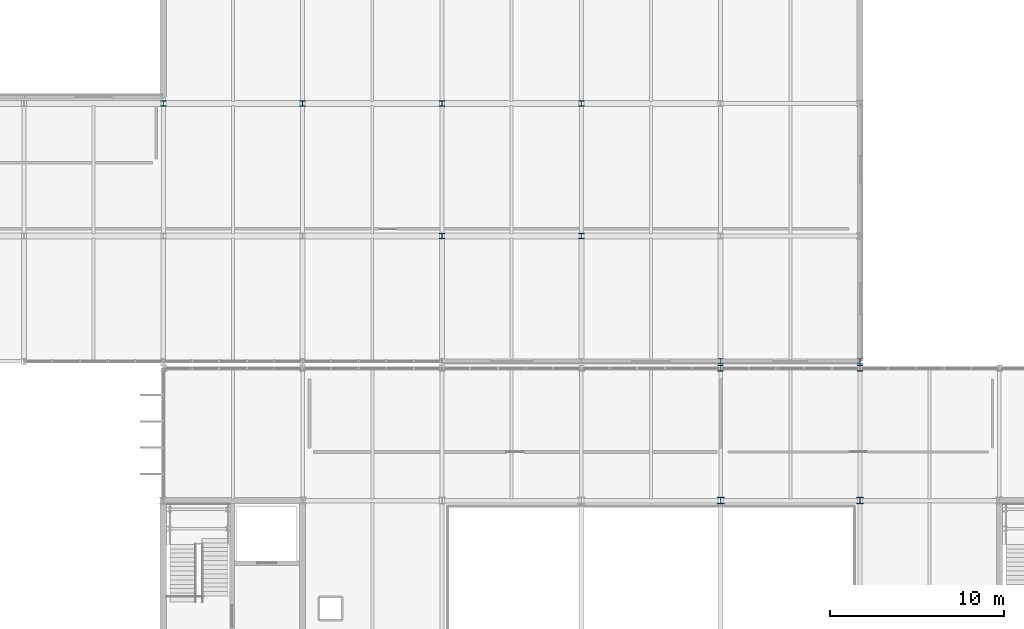
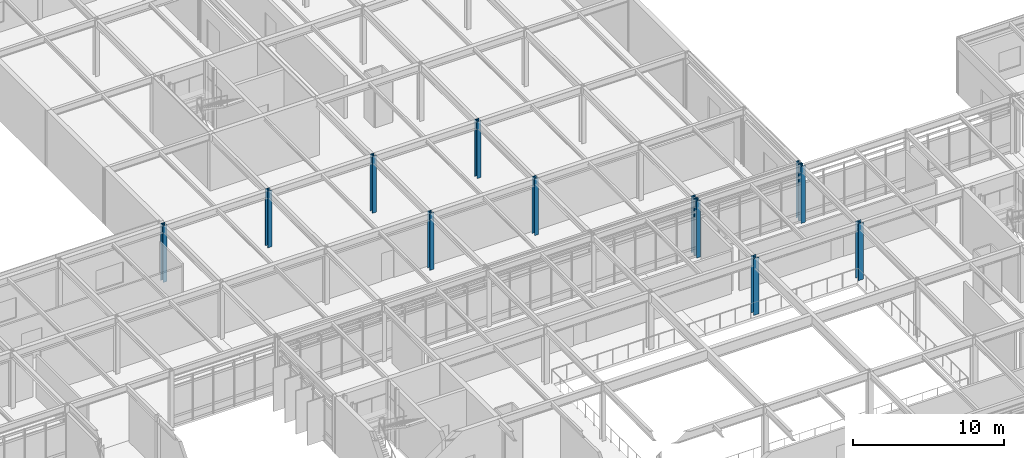
# One storey, part 11 of 104: 12 columns.
"""IFC4 building model written with IfcOpenShell, lengths in metres."""

from ifc_helpers import new_model, si_unit, direction, frame, origin, origin_2d, place, context, subcontext, project, spatial, i_section, extrude, material, material_profile, profile_set, type_object, element, save


model = new_model("IFC4")

# Units and contexts
model_context = context("Model", 3, precision=1e-05, world=origin(), true_north=direction((0.0, 1.0)))
body_context = subcontext(model_context, "Body", "Model", "MODEL_VIEW")
ifc_project = project(units=[si_unit("LENGTHUNIT", "METRE"), si_unit("AREAUNIT", "SQUARE_METRE"), si_unit("VOLUMEUNIT", "CUBIC_METRE"), si_unit("PLANEANGLEUNIT", "RADIAN"), si_unit("MASSUNIT", "GRAM", prefix="KILO")], contexts=[model_context])

# Site, building, storey
site_placement = place(None, origin())
site = spatial("IfcSite", under=ifc_project, at=site_placement, CompositionType="ELEMENT")
building_placement = place(site_placement, origin())
building = spatial("IfcBuilding", under=site, at=building_placement, Name="Zulena Civic Courthouse", CompositionType="ELEMENT")
storey_placement = place(building_placement, frame((0.0, 0.0, 15.60009765625)))
storey = spatial("IfcBuildingStorey", under=building, at=storey_placement, Name="L03", CompositionType="ELEMENT", Elevation=15.60009765625)

# Columns
ifc_material = material(Name="Steel ASTM A992 Grade 50", Category="steel")
ifc_material_profile_1 = material_profile(ifc_material, i_section(OverallWidth=0.31298828125, OverallDepth=0.3330078125, WebThickness=0.01806640625, FlangeThickness=0.0283203125, FilletRadius=0.01513671875, at=origin_2d()), Name="W12X120")
ifc_profile_set_1 = profile_set([ifc_material_profile_1], Name="Steel ASTM A992 Grade 50")
column_type_1 = type_object("IfcColumnType", Name="Col_W12X120", PredefinedType="COLUMN", material=ifc_profile_set_1)
for number, where, z_axis, x_axis, name in (
    (1, (100.0, 45.60009765625, 0.0), (0.0, 0.0, 1.0), (1.0, 0.0, 0.0), "col:V4:L03:100.0:45.6"),
    (2, (108.0, 45.60009765625, 0.0), (0.0, 0.0, 1.0), (1.0, 0.0, 0.0), "col:V4:L03:108.0:45.6"),
    (3, (68.0, 60.800048828125, 0.0), (0.0, 0.0, 1.0), (1.0, 0.0, 0.0), "col:V5:L03:68.0:60.8"),
    (4, (76.0, 60.800048828125, 0.0), (0.0, 0.0, 1.0), (1.0, 0.0, 0.0), "col:V5:L03:76.0:60.8"),
    (5, (84.0, 53.199951171875, 0.0), (0.0, 0.0, 1.0), (1.0, 0.0, 0.0), "col:V5:L03:84.0:53.2"),
    (6, (84.0, 60.800048828125, 0.0), (0.0, 0.0, 1.0), (1.0, 0.0, 0.0), "col:V5:L03:84.0:60.8"),
    (7, (92.0, 53.199951171875, 0.0), (0.0, 0.0, 1.0), (1.0, 0.0, 0.0), "col:V5:L03:92.0:53.2"),
    (8, (92.0, 60.800048828125, 0.0), (0.0, 0.0, 1.0), (1.0, 0.0, 0.0), "col:V5:L03:92.0:60.8"),
):
    element("IfcColumn", number, at=place(storey_placement, frame(where, z_axis=z_axis, x_axis=x_axis)), inside=storey, type_object=column_type_1, Name=name, PredefinedType="COLUMN", context=body_context, shape_type="SweptSolid", body=[
        extrude(i_section(OverallWidth=0.31298828125, OverallDepth=0.3330078125, WebThickness=0.01806640625, FlangeThickness=0.0283203125, FilletRadius=0.01513671875, at=origin_2d()), origin(), (0.0, 0.0, 1.0), 4.58984375),
    ])
ifc_material_profile_2 = material_profile(ifc_material, i_section(OverallWidth=0.30908203125, OverallDepth=0.322998046875, WebThickness=0.013916015625, FlangeThickness=0.02294921875, FilletRadius=0.01513671875, at=origin_2d()), Name="W12X96")
ifc_profile_set_2 = profile_set([ifc_material_profile_2], Name="Steel ASTM A992 Grade 50")
column_type_2 = type_object("IfcColumnType", Name="Col_W12X96", PredefinedType="COLUMN", material=ifc_profile_set_2)
for number, where, z_axis, x_axis, name in (
    (9, (100.0, 46.0, 0.0), (0.0, 0.0, 1.0), (1.0, 0.0, 0.0), "col:V5:L03:100.0:46.0"),
    (10, (108.0, 46.0, 0.0), (0.0, 0.0, 1.0), (1.0, 0.0, 0.0), "col:V5:L03:108.0:46.0"),
):
    element("IfcColumn", number, at=place(storey_placement, frame(where, z_axis=z_axis, x_axis=x_axis)), inside=storey, type_object=column_type_2, Name=name, PredefinedType="COLUMN", context=body_context, shape_type="SweptSolid", body=[
        extrude(i_section(OverallWidth=0.30908203125, OverallDepth=0.322998046875, WebThickness=0.013916015625, FlangeThickness=0.02294921875, FilletRadius=0.01513671875, at=origin_2d()), origin(), (0.0, 0.0, 1.0), 4.58984375),
    ])
ifc_material_profile_3 = material_profile(ifc_material, i_section(OverallWidth=0.39404296875, OverallDepth=0.3759765625, WebThickness=0.017333984375, FlangeThickness=0.027587890625, FilletRadius=0.01513671875, at=origin_2d()), Name="W14X145")
ifc_profile_set_3 = profile_set([ifc_material_profile_3], Name="Steel ASTM A992 Grade 50")
column_type_3 = type_object("IfcColumnType", Name="Col_W14X145", PredefinedType="COLUMN", material=ifc_profile_set_3)
for number, where, z_axis, x_axis, name in (
    (11, (100.0, 38.0, 0.0), (0.0, 0.0, 1.0), (1.0, 0.0, 0.0), "col:V4:L03:100.0:38.0"),
    (12, (108.0, 38.0, 0.0), (0.0, 0.0, 1.0), (1.0, 0.0, 0.0), "col:V4:L03:108.0:38.0"),
):
    element("IfcColumn", number, at=place(storey_placement, frame(where, z_axis=z_axis, x_axis=x_axis)), inside=storey, type_object=column_type_3, Name=name, PredefinedType="COLUMN", context=body_context, shape_type="SweptSolid", body=[
        extrude(i_section(OverallWidth=0.39404296875, OverallDepth=0.3759765625, WebThickness=0.017333984375, FlangeThickness=0.027587890625, FilletRadius=0.01513671875, at=origin_2d()), origin(), (0.0, 0.0, 1.0), 4.58984375),
    ])

save(model, "model.ifc")
